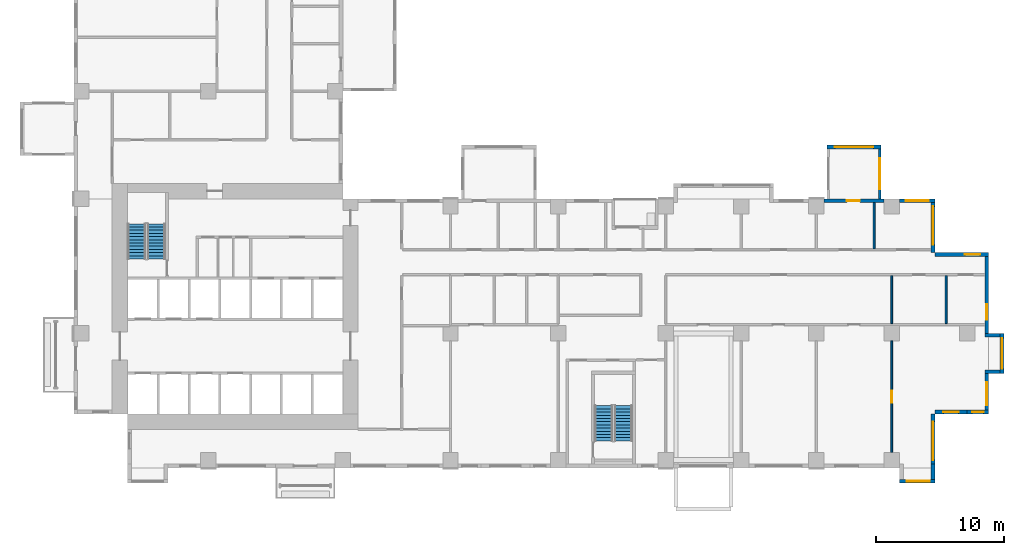
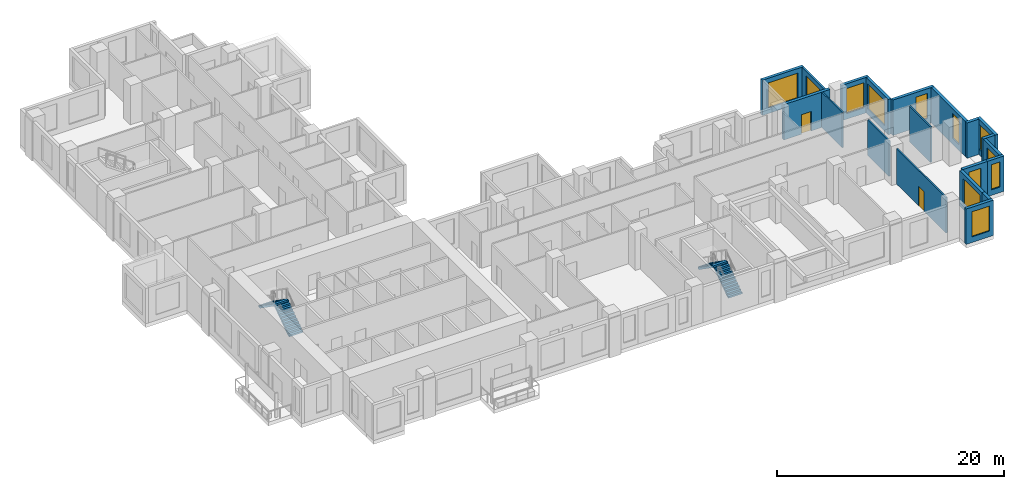
# One storey, part 9 of 14: 20 walls, 12 windows, 4 stair flights, 2 doors, 14 openings, 2 elements without a shape of their own.
"""IFC4 building model written with IfcOpenShell, lengths in metres."""

from ifc_helpers import new_model, si_unit, direction, frame, frame_2d, origin, place, context, subcontext, project, spatial, polyline, rectangle, outline, extrude, source, transform, mapped, material, layer, layer_set, type_object, element, fill, aggregate, save


model = new_model("IFC4")

# Units and contexts
model_context = context("Model", 3, precision=1e-05, world=origin(), true_north=direction((0.0, 1.0)))
body_context = subcontext(model_context, "Body", "Model", "MODEL_VIEW")
ifc_project = project(units=[si_unit("LENGTHUNIT", "METRE"), si_unit("AREAUNIT", "SQUARE_METRE"), si_unit("VOLUMEUNIT", "CUBIC_METRE"), si_unit("PLANEANGLEUNIT", "RADIAN"), si_unit("MASSUNIT", "GRAM", prefix="KILO")], contexts=[model_context])

# Site, building, storey
site_placement = place(None, origin())
site = spatial("IfcSite", under=ifc_project, at=site_placement, CompositionType="ELEMENT")
building_placement = place(site_placement, origin())
building = spatial("IfcBuilding", under=site, at=building_placement, Name="Aurelian Terraces", CompositionType="ELEMENT")
storey_placement = place(building_placement, frame((0.0, 0.0, 90.9)))
storey = spatial("IfcBuildingStorey", under=building, at=storey_placement, Name="L19", CompositionType="ELEMENT", Elevation=90.9)

# Wall, opening, door
ifc_material_1 = material(Name="Terracotta rainscreen cladding", Category="masonry")
ifc_layer_1 = layer(ifc_material_1, 0.3)
ifc_layer_set_1 = layer_set([ifc_layer_1], Name="EW-300")
wall_type_1 = type_object("IfcWallType", Name="EW-300", PredefinedType="STANDARD", material=ifc_layer_set_1)
shared_shape_1 = source(origin(), body_context, "Body", "SweptSolid", [
    extrude(rectangle(XDim=4.68, YDim=0.3, at=frame_2d((2.34, 0.0))), origin(), (0.0, 0.0, 1.0), 3.8),
])
wall_1_placement = place(storey_placement, frame((63.24, 20.85, 0.0), z_axis=(0.0, 0.0, 1.0), x_axis=(-1.0, 0.0, 0.0)))
wall_1 = element("IfcWall", 1, at=wall_1_placement, inside=storey, type_object=wall_type_1, Name="External wall L19 F07.20", PredefinedType="STANDARD", context=body_context, shape_type="MappedRepresentation", body=[
    mapped(shared_shape_1, transform((0.0, 0.0, 0.0), scale=1.0)),
])
shared_shape_2 = source(origin(), body_context, "Body", "SweptSolid", [
    extrude(rectangle(XDim=1.0, YDim=2.1, at=frame_2d((0.5, 1.05))), frame((0.0, 0.16, 0.0), z_axis=(0.0, -1.0, 0.0), x_axis=(1.0, 0.0, 0.0)), (0.0, 0.0, 1.0), 0.32),
])
opening_1_placement = place(wall_1_placement, frame((1.8983, 0.0, 0.0)))
opening_1 = element("IfcOpeningElement", 2, at=opening_1_placement, cuts=wall_1, Name="Opening 819004", PredefinedType="OPENING", context=body_context, shape_type="MappedRepresentation", body=[
    mapped(shared_shape_2, transform((0.0, 0.0, 0.0), scale=1.0)),
])
ifc_material_2 = material(Name="Timber door leaf", Category="wood")
door_type_1 = type_object("IfcDoorType", Name="Room door 1000x2100 left", OperationType="SINGLE_SWING_LEFT", PredefinedType="DOOR", material=ifc_material_2)
shared_shape_3 = source(origin(), body_context, "Body", "SweptSolid", [
    extrude(rectangle(XDim=1.0, YDim=2.1, at=frame_2d((0.5, 1.05))), frame((0.0, 0.025, 0.0), z_axis=(0.0, -1.0, 0.0), x_axis=(1.0, 0.0, 0.0)), (0.0, 0.0, 1.0), 0.05),
])
door_1_placement = place(opening_1_placement, origin())
door_1 = element("IfcDoor", 3, at=door_1_placement, inside=storey, type_object=door_type_1, Name="Door 819004", OperationType="SINGLE_SWING_LEFT", OverallHeight=2.1, OverallWidth=1.0, PredefinedType="DOOR", context=body_context, shape_type="MappedRepresentation", body=[
    mapped(shared_shape_3, transform((0.0, 0.0, 0.0), scale=1.0)),
])
fill(opening_1, door_1)

# Wall, opening, window
shared_shape_4 = source(origin(), body_context, "Body", "SweptSolid", [
    extrude(rectangle(XDim=3.15, YDim=0.3, at=frame_2d((1.575, 0.0))), origin(), (0.0, 0.0, 1.0), 3.8),
])
wall_2_placement = place(storey_placement, frame((71.25, 4.2, 0.0), z_axis=(0.0, 0.0, 1.0), x_axis=(0.0, 1.0, 0.0)))
wall_2 = element("IfcWall", 4, at=wall_2_placement, inside=storey, type_object=wall_type_1, Name="External wall L19 F04.15", PredefinedType="STANDARD", context=body_context, shape_type="MappedRepresentation", body=[
    mapped(shared_shape_4, transform((0.0, 0.0, 0.0), scale=1.0)),
])
shared_shape_5 = source(origin(), body_context, "Body", "SweptSolid", [
    extrude(rectangle(XDim=1.8, YDim=2.7, at=frame_2d((0.9, 1.35))), frame((0.0, 0.16, 0.0), z_axis=(0.0, -1.0, 0.0), x_axis=(1.0, 0.0, 0.0)), (0.0, 0.0, 1.0), 0.32),
])
opening_2_placement = place(wall_2_placement, frame((0.675, 0.0, 0.6)))
opening_2 = element("IfcOpeningElement", 5, at=opening_2_placement, cuts=wall_2, Name="Opening W1827", PredefinedType="OPENING", context=body_context, shape_type="MappedRepresentation", body=[
    mapped(shared_shape_5, transform((0.0, 0.0, 0.0), scale=1.0)),
])
ifc_material_3 = material(Name="Clear glazing", Category="glass")
window_type_1 = type_object("IfcWindowType", Name="W-1800x2700", PartitioningType="SINGLE_PANEL", PredefinedType="WINDOW", material=ifc_material_3)
shared_shape_6 = source(origin(), body_context, "Body", "SweptSolid", [
    extrude(rectangle(XDim=1.8, YDim=2.7, at=frame_2d((0.9, 1.35))), frame((0.0, 0.03, 0.0), z_axis=(0.0, -1.0, 0.0), x_axis=(1.0, 0.0, 0.0)), (0.0, 0.0, 1.0), 0.06),
])
window_1_placement = place(opening_2_placement, origin())
window_1 = element("IfcWindow", 6, at=window_1_placement, inside=storey, type_object=window_type_1, Name="Window L19 L19-F04-15-0", OverallHeight=2.7, OverallWidth=1.8, PartitioningType="SINGLE_PANEL", PredefinedType="WINDOW", context=body_context, shape_type="MappedRepresentation", body=[
    mapped(shared_shape_6, transform((0.0, 0.0, 0.0), scale=1.0)),
])
fill(opening_2, window_1)

wall_3_placement = place(storey_placement, frame((72.45, 7.35, 0.0), z_axis=(0.0, 0.0, 1.0), x_axis=(0.0, 1.0, 0.0)))
wall_3 = element("IfcWall", 7, at=wall_3_placement, inside=storey, type_object=wall_type_1, Name="Bay wall L19 F04.16", PredefinedType="STANDARD", context=body_context, shape_type="MappedRepresentation", body=[
    mapped(shared_shape_4, transform((0.0, 0.0, 0.0), scale=1.0)),
])
shared_shape_7 = source(origin(), body_context, "Body", "SweptSolid", [
    extrude(rectangle(XDim=2.4, YDim=2.7, at=frame_2d((1.2, 1.35))), frame((0.0, 0.16, 0.0), z_axis=(0.0, -1.0, 0.0), x_axis=(1.0, 0.0, 0.0)), (0.0, 0.0, 1.0), 0.32),
])
opening_3_placement = place(wall_3_placement, frame((0.375, 0.0, 0.6)))
opening_3 = element("IfcOpeningElement", 8, at=opening_3_placement, cuts=wall_3, Name="Opening W2427", PredefinedType="OPENING", context=body_context, shape_type="MappedRepresentation", body=[
    mapped(shared_shape_7, transform((0.0, 0.0, 0.0), scale=1.0)),
])
window_type_2 = type_object("IfcWindowType", Name="W-2400x2700", PartitioningType="SINGLE_PANEL", PredefinedType="WINDOW", material=ifc_material_3)
shared_shape_8 = source(origin(), body_context, "Body", "SweptSolid", [
    extrude(rectangle(XDim=2.4, YDim=2.7, at=frame_2d((1.2, 1.35))), frame((0.0, 0.03, 0.0), z_axis=(0.0, -1.0, 0.0), x_axis=(1.0, 0.0, 0.0)), (0.0, 0.0, 1.0), 0.06),
])
window_2_placement = place(opening_3_placement, origin())
window_2 = element("IfcWindow", 9, at=window_2_placement, inside=storey, type_object=window_type_2, Name="Window L19 L19-F04-16-0", OverallHeight=2.7, OverallWidth=2.4, PartitioningType="SINGLE_PANEL", PredefinedType="WINDOW", context=body_context, shape_type="MappedRepresentation", body=[
    mapped(shared_shape_8, transform((0.0, 0.0, 0.0), scale=1.0)),
])
fill(opening_3, window_2)

shared_shape_9 = source(origin(), body_context, "Body", "SweptSolid", [
    extrude(rectangle(XDim=4.2, YDim=0.3, at=frame_2d((2.1, 0.0))), origin(), (0.0, 0.0, 1.0), 3.8),
])
wall_4_placement = place(storey_placement, frame((67.05, 0.0, 0.0), z_axis=(0.0, 0.0, 1.0), x_axis=(0.0, 1.0, 0.0)))
wall_4 = element("IfcWall", 10, at=wall_4_placement, inside=storey, type_object=wall_type_1, Name="External wall L19 F02.12", PredefinedType="STANDARD", context=body_context, shape_type="MappedRepresentation", body=[
    mapped(shared_shape_9, transform((0.0, 0.0, 0.0), scale=1.0)),
])
shared_shape_10 = source(origin(), body_context, "Body", "SweptSolid", [
    extrude(rectangle(XDim=3.0, YDim=2.7, at=frame_2d((1.5, 1.35))), frame((0.0, 0.16, 0.0), z_axis=(0.0, -1.0, 0.0), x_axis=(1.0, 0.0, 0.0)), (0.0, 0.0, 1.0), 0.32),
])
opening_4_placement = place(wall_4_placement, frame((0.6, 0.0, 0.6)))
opening_4 = element("IfcOpeningElement", 11, at=opening_4_placement, cuts=wall_4, Name="Opening W3027", PredefinedType="OPENING", context=body_context, shape_type="MappedRepresentation", body=[
    mapped(shared_shape_10, transform((0.0, 0.0, 0.0), scale=1.0)),
])
window_type_3 = type_object("IfcWindowType", Name="W-3000x2700", PartitioningType="SINGLE_PANEL", PredefinedType="WINDOW", material=ifc_material_3)
shared_shape_11 = source(origin(), body_context, "Body", "SweptSolid", [
    extrude(rectangle(XDim=3.0, YDim=2.7, at=frame_2d((1.5, 1.35))), frame((0.0, 0.03, 0.0), z_axis=(0.0, -1.0, 0.0), x_axis=(1.0, 0.0, 0.0)), (0.0, 0.0, 1.0), 0.06),
])
window_3_placement = place(opening_4_placement, origin())
window_3 = element("IfcWindow", 12, at=window_3_placement, inside=storey, type_object=window_type_3, Name="Window L19 L19-F02-12-0", OverallHeight=2.7, OverallWidth=3.0, PartitioningType="SINGLE_PANEL", PredefinedType="WINDOW", context=body_context, shape_type="MappedRepresentation", body=[
    mapped(shared_shape_11, transform((0.0, 0.0, 0.0), scale=1.0)),
])
fill(opening_4, window_3)

wall_5_placement = place(storey_placement, frame((71.4, 16.65, 0.0), z_axis=(0.0, 0.0, 1.0), x_axis=(-1.0, 0.0, 0.0)))
wall_5 = element("IfcWall", 13, at=wall_5_placement, inside=storey, type_object=wall_type_1, Name="External wall L19 F05.18", PredefinedType="STANDARD", context=body_context, shape_type="MappedRepresentation", body=[
    mapped(shared_shape_9, transform((0.0, 0.0, 0.0), scale=1.0)),
])
shared_shape_12 = source(origin(), body_context, "Body", "SweptSolid", [
    extrude(rectangle(XDim=1.2, YDim=2.7, at=frame_2d((0.6, 1.35))), frame((0.0, 0.16, 0.0), z_axis=(0.0, -1.0, 0.0), x_axis=(1.0, 0.0, 0.0)), (0.0, 0.0, 1.0), 0.32),
])
opening_5_placement = place(wall_5_placement, frame((0.66, 0.0, 0.6)))
opening_5 = element("IfcOpeningElement", 14, at=opening_5_placement, cuts=wall_5, Name="Opening W1227", PredefinedType="OPENING", context=body_context, shape_type="MappedRepresentation", body=[
    mapped(shared_shape_12, transform((0.0, 0.0, 0.0), scale=1.0)),
])
window_type_4 = type_object("IfcWindowType", Name="W-1200x2700", PartitioningType="SINGLE_PANEL", PredefinedType="WINDOW", material=ifc_material_3)
shared_shape_13 = source(origin(), body_context, "Body", "SweptSolid", [
    extrude(rectangle(XDim=1.2, YDim=2.7, at=frame_2d((0.6, 1.35))), frame((0.0, 0.03, 0.0), z_axis=(0.0, -1.0, 0.0), x_axis=(1.0, 0.0, 0.0)), (0.0, 0.0, 1.0), 0.06),
])
window_4_placement = place(opening_5_placement, origin())
window_4 = element("IfcWindow", 15, at=window_4_placement, inside=storey, type_object=window_type_4, Name="Window L19 L19-F05-18-0", OverallHeight=2.7, OverallWidth=1.2, PartitioningType="SINGLE_PANEL", PredefinedType="WINDOW", context=body_context, shape_type="MappedRepresentation", body=[
    mapped(shared_shape_13, transform((0.0, 0.0, 0.0), scale=1.0)),
])
fill(opening_5, window_4)

wall_6_placement = place(storey_placement, frame((67.05, 16.8, 0.0), z_axis=(0.0, 0.0, 1.0), x_axis=(0.0, 1.0, 0.0)))
wall_6 = element("IfcWall", 16, at=wall_6_placement, inside=storey, type_object=wall_type_1, Name="External wall L19 F06.19", PredefinedType="STANDARD", context=body_context, shape_type="MappedRepresentation", body=[
    mapped(shared_shape_9, transform((0.0, 0.0, 0.0), scale=1.0)),
])
opening_6_placement = place(wall_6_placement, frame((0.6, 0.0, 0.6)))
opening_6 = element("IfcOpeningElement", 17, at=opening_6_placement, cuts=wall_6, Name="Opening W3027", PredefinedType="OPENING", context=body_context, shape_type="MappedRepresentation", body=[
    mapped(shared_shape_10, transform((0.0, 0.0, 0.0), scale=1.0)),
])
window_5_placement = place(opening_6_placement, origin())
window_5 = element("IfcWindow", 18, at=window_5_placement, inside=storey, type_object=window_type_3, Name="Window L19 L19-F06-19-0", OverallHeight=2.7, OverallWidth=3.0, PartitioningType="SINGLE_PANEL", PredefinedType="WINDOW", context=body_context, shape_type="MappedRepresentation", body=[
    mapped(shared_shape_11, transform((0.0, 0.0, 0.0), scale=1.0)),
])
fill(opening_6, window_5)

shared_shape_14 = source(origin(), body_context, "Body", "SweptSolid", [
    extrude(rectangle(XDim=2.76, YDim=0.3, at=frame_2d((1.38, 0.0))), origin(), (0.0, 0.0, 1.0), 3.8),
])
wall_7_placement = place(storey_placement, frame((64.44, -1.05, 0.0), z_axis=(0.0, 0.0, 1.0), x_axis=(1.0, 0.0, 0.0)))
wall_7 = element("IfcWall", 19, at=wall_7_placement, inside=storey, type_object=wall_type_1, Name="Bay wall L19 F01.11", PredefinedType="STANDARD", context=body_context, shape_type="MappedRepresentation", body=[
    mapped(shared_shape_14, transform((0.0, 0.0, 0.0), scale=1.0)),
])
opening_7_placement = place(wall_7_placement, frame((0.58, 0.0, 0.6)))
opening_7 = element("IfcOpeningElement", 20, at=opening_7_placement, cuts=wall_7, Name="Opening W1827", PredefinedType="OPENING", context=body_context, shape_type="MappedRepresentation", body=[
    mapped(shared_shape_5, transform((0.0, 0.0, 0.0), scale=1.0)),
])
window_6_placement = place(opening_7_placement, origin())
window_6 = element("IfcWindow", 21, at=window_6_placement, inside=storey, type_object=window_type_1, Name="Window L19 L19-F01-11-0", OverallHeight=2.7, OverallWidth=1.8, PartitioningType="SINGLE_PANEL", PredefinedType="WINDOW", context=body_context, shape_type="MappedRepresentation", body=[
    mapped(shared_shape_6, transform((0.0, 0.0, 0.0), scale=1.0)),
])
fill(opening_7, window_6)

wall_8_placement = place(storey_placement, frame((67.2, 20.85, 0.0), z_axis=(0.0, 0.0, 1.0), x_axis=(-1.0, 0.0, 0.0)))
wall_8 = element("IfcWall", 22, at=wall_8_placement, inside=storey, type_object=wall_type_1, Name="External wall L19 F07.20", PredefinedType="STANDARD", context=body_context, shape_type="MappedRepresentation", body=[
    mapped(shared_shape_14, transform((0.0, 0.0, 0.0), scale=1.0)),
])
opening_8_placement = place(wall_8_placement, frame((0.48, 0.0, 0.6)))
opening_8 = element("IfcOpeningElement", 23, at=opening_8_placement, cuts=wall_8, Name="Opening W1827", PredefinedType="OPENING", context=body_context, shape_type="MappedRepresentation", body=[
    mapped(shared_shape_5, transform((0.0, 0.0, 0.0), scale=1.0)),
])
window_7_placement = place(opening_8_placement, origin())
window_7 = element("IfcWindow", 24, at=window_7_placement, inside=storey, type_object=window_type_1, Name="Window L19 L19-F07-20-P0", OverallHeight=2.7, OverallWidth=1.8, PartitioningType="SINGLE_PANEL", PredefinedType="WINDOW", context=body_context, shape_type="MappedRepresentation", body=[
    mapped(shared_shape_6, transform((0.0, 0.0, 0.0), scale=1.0)),
])
fill(opening_8, window_7)

# Walls
shared_shape_15 = source(origin(), body_context, "Body", "SweptSolid", [
    extrude(rectangle(XDim=1.2, YDim=0.3, at=frame_2d((0.6, 0.0))), origin(), (0.0, 0.0, 1.0), 3.8),
])
for number, where, z_axis, x_axis, name in (
    (25, (67.05, 0.3, 0.0), (0.0, 0.0, 1.0), (0.0, -1.0, 0.0), "Bay return L19 F01.11.2"),
    (26, (71.1, 7.5, 0.0), (0.0, 0.0, 1.0), (1.0, 0.0, 0.0), "Bay return L19 F04.16.1"),
    (27, (71.1, 10.35, 0.0), (0.0, 0.0, 1.0), (1.0, 0.0, 0.0), "Bay return L19 F04.16.2"),
):
    element("IfcWall", number, at=place(storey_placement, frame(where, z_axis=z_axis, x_axis=x_axis)), inside=storey, type_object=wall_type_1, Name=name, PredefinedType="STANDARD", context=body_context, shape_type="MappedRepresentation", body=[
        mapped(shared_shape_15, transform((0.0, 0.0, 0.0), scale=1.0)),
    ])

# Wall, opening, window
shared_shape_16 = source(origin(), body_context, "Body", "SweptSolid", [
    extrude(rectangle(XDim=2.52, YDim=0.3, at=frame_2d((1.26, 0.0))), origin(), (0.0, 0.0, 1.0), 3.8),
])
wall_9_placement = place(storey_placement, frame((67.2, 4.35, 0.0), z_axis=(0.0, 0.0, 1.0), x_axis=(1.0, 0.0, 0.0)))
wall_9 = element("IfcWall", 28, at=wall_9_placement, inside=storey, type_object=wall_type_1, Name="External wall L19 F03.13", PredefinedType="STANDARD", context=body_context, shape_type="MappedRepresentation", body=[
    mapped(shared_shape_16, transform((0.0, 0.0, 0.0), scale=1.0)),
])
opening_9_placement = place(wall_9_placement, frame((0.66, 0.0, 0.6)))
opening_9 = element("IfcOpeningElement", 29, at=opening_9_placement, cuts=wall_9, Name="Opening W1227", PredefinedType="OPENING", context=body_context, shape_type="MappedRepresentation", body=[
    mapped(shared_shape_12, transform((0.0, 0.0, 0.0), scale=1.0)),
])
window_8_placement = place(opening_9_placement, origin())
window_8 = element("IfcWindow", 30, at=window_8_placement, inside=storey, type_object=window_type_4, Name="Window L19 L19-F03-13-0", OverallHeight=2.7, OverallWidth=1.2, PartitioningType="SINGLE_PANEL", PredefinedType="WINDOW", context=body_context, shape_type="MappedRepresentation", body=[
    mapped(shared_shape_13, transform((0.0, 0.0, 0.0), scale=1.0)),
])
fill(opening_9, window_8)

shared_shape_17 = source(origin(), body_context, "Body", "SweptSolid", [
    extrude(rectangle(XDim=1.68, YDim=0.3, at=frame_2d((0.84, 0.0))), origin(), (0.0, 0.0, 1.0), 3.8),
])
wall_10_placement = place(storey_placement, frame((69.72, 4.35, 0.0), z_axis=(0.0, 0.0, 1.0), x_axis=(1.0, 0.0, 0.0)))
wall_10 = element("IfcWall", 31, at=wall_10_placement, inside=storey, type_object=wall_type_1, Name="External wall L19 F03.14", PredefinedType="STANDARD", context=body_context, shape_type="MappedRepresentation", body=[
    mapped(shared_shape_17, transform((0.0, 0.0, 0.0), scale=1.0)),
])
shared_shape_18 = source(origin(), body_context, "Body", "SweptSolid", [
    extrude(rectangle(XDim=0.9, YDim=2.7, at=frame_2d((0.45, 1.35))), frame((0.0, 0.16, 0.0), z_axis=(0.0, -1.0, 0.0), x_axis=(1.0, 0.0, 0.0)), (0.0, 0.0, 1.0), 0.32),
])
opening_10_placement = place(wall_10_placement, frame((0.39, 0.0, 0.6)))
opening_10 = element("IfcOpeningElement", 32, at=opening_10_placement, cuts=wall_10, Name="Opening W0927", PredefinedType="OPENING", context=body_context, shape_type="MappedRepresentation", body=[
    mapped(shared_shape_18, transform((0.0, 0.0, 0.0), scale=1.0)),
])
window_type_5 = type_object("IfcWindowType", Name="W-900x2700", PartitioningType="SINGLE_PANEL", PredefinedType="WINDOW", material=ifc_material_3)
shared_shape_19 = source(origin(), body_context, "Body", "SweptSolid", [
    extrude(rectangle(XDim=0.9, YDim=2.7, at=frame_2d((0.45, 1.35))), frame((0.0, 0.03, 0.0), z_axis=(0.0, -1.0, 0.0), x_axis=(1.0, 0.0, 0.0)), (0.0, 0.0, 1.0), 0.06),
])
window_9_placement = place(opening_10_placement, origin())
window_9 = element("IfcWindow", 33, at=window_9_placement, inside=storey, type_object=window_type_5, Name="Window L19 L19-F03-14-P0", OverallHeight=2.7, OverallWidth=0.9, PartitioningType="SINGLE_PANEL", PredefinedType="WINDOW", context=body_context, shape_type="MappedRepresentation", body=[
    mapped(shared_shape_19, transform((0.0, 0.0, 0.0), scale=1.0)),
])
fill(opening_10, window_9)

shared_shape_20 = source(origin(), body_context, "Body", "SweptSolid", [
    extrude(rectangle(XDim=6.3, YDim=0.3, at=frame_2d((3.15, 0.0))), origin(), (0.0, 0.0, 1.0), 3.8),
])
wall_11_placement = place(storey_placement, frame((71.25, 10.5, 0.0), z_axis=(0.0, 0.0, 1.0), x_axis=(0.0, 1.0, 0.0)))
wall_11 = element("IfcWall", 34, at=wall_11_placement, inside=storey, type_object=wall_type_1, Name="External wall L19 F04.17", PredefinedType="STANDARD", context=body_context, shape_type="MappedRepresentation", body=[
    mapped(shared_shape_20, transform((0.0, 0.0, 0.0), scale=1.0)),
])
opening_11_placement = place(wall_11_placement, frame((1.0625, 0.0, 0.6)))
opening_11 = element("IfcOpeningElement", 35, at=opening_11_placement, cuts=wall_11, Name="Opening W1227", PredefinedType="OPENING", context=body_context, shape_type="MappedRepresentation", body=[
    mapped(shared_shape_12, transform((0.0, 0.0, 0.0), scale=1.0)),
])
window_10_placement = place(opening_11_placement, origin())
window_10 = element("IfcWindow", 36, at=window_10_placement, inside=storey, type_object=window_type_4, Name="Window L19 L19-F04-17-0", OverallHeight=2.7, OverallWidth=1.2, PartitioningType="SINGLE_PANEL", PredefinedType="WINDOW", context=body_context, shape_type="MappedRepresentation", body=[
    mapped(shared_shape_13, transform((0.0, 0.0, 0.0), scale=1.0)),
])
fill(opening_11, window_10)

ifc_material_4 = material(Name="Concrete fc' 40 MPa", Category="concrete")
ifc_layer_2 = layer(ifc_material_4, 0.2)
ifc_layer_set_2 = layer_set([ifc_layer_2], Name="BOX BEARING WALL 200")
wall_type_2 = type_object("IfcWallType", Name="BOX BEARING WALL 200", PredefinedType="SOLIDWALL", material=ifc_layer_set_2)
shared_shape_21 = source(origin(), body_context, "Body", "SweptSolid", [
    extrude(rectangle(XDim=3.9, YDim=0.2, at=frame_2d((1.95, 0.0))), origin(), (0.0, 0.0, 1.0), 3.79),
])
wall_12_placement = place(storey_placement, frame((62.9, 21.0, 0.0), z_axis=(0.0, 0.0, 1.0), x_axis=(0.0, 1.0, 0.0)))
wall_12 = element("IfcWall", 37, at=wall_12_placement, inside=storey, type_object=wall_type_2, Name="Box return L19 J26.1", PredefinedType="SOLIDWALL", context=body_context, shape_type="MappedRepresentation", body=[
    mapped(shared_shape_21, transform((0.0, 0.0, 0.0), scale=1.0)),
])
shared_shape_22 = source(origin(), body_context, "Body", "SweptSolid", [
    extrude(rectangle(XDim=2.4, YDim=2.7, at=frame_2d((1.2, 1.35))), frame((0.0, 0.11, 0.0), z_axis=(0.0, -1.0, 0.0), x_axis=(1.0, 0.0, 0.0)), (0.0, 0.0, 1.0), 0.22),
])
opening_12_placement = place(wall_12_placement, frame((0.75, 0.0, 0.6)))
opening_12 = element("IfcOpeningElement", 38, at=opening_12_placement, cuts=wall_12, Name="Opening W2427", PredefinedType="OPENING", context=body_context, shape_type="MappedRepresentation", body=[
    mapped(shared_shape_22, transform((0.0, 0.0, 0.0), scale=1.0)),
])
window_11_placement = place(opening_12_placement, origin())
window_11 = element("IfcWindow", 39, at=window_11_placement, inside=storey, type_object=window_type_2, Name="Window L19 J26-S1", OverallHeight=2.7, OverallWidth=2.4, PartitioningType="SINGLE_PANEL", PredefinedType="WINDOW", context=body_context, shape_type="MappedRepresentation", body=[
    mapped(shared_shape_8, transform((0.0, 0.0, 0.0), scale=1.0)),
])
fill(opening_12, window_11)

ifc_layer_3 = layer(ifc_material_4, 0.3)
ifc_layer_set_3 = layer_set([ifc_layer_3], Name="BOX BEARING WALL 300")
wall_type_3 = type_object("IfcWallType", Name="BOX BEARING WALL 300", PredefinedType="SOLIDWALL", material=ifc_layer_set_3)
shared_shape_23 = source(origin(), body_context, "Body", "SweptSolid", [
    extrude(rectangle(XDim=4.2, YDim=0.3, at=frame_2d((2.1, 0.0))), origin(), (0.0, 0.0, 1.0), 3.79),
])
wall_13_placement = place(storey_placement, frame((63.0, 25.05, 0.0), z_axis=(0.0, 0.0, 1.0), x_axis=(-1.0, 0.0, 0.0)))
wall_13 = element("IfcWall", 40, at=wall_13_placement, inside=storey, type_object=wall_type_3, Name="Box wall L19 J26", PredefinedType="SOLIDWALL", context=body_context, shape_type="MappedRepresentation", body=[
    mapped(shared_shape_23, transform((0.0, 0.0, 0.0), scale=1.0)),
])
opening_13_placement = place(wall_13_placement, frame((0.6, 0.0, 0.6)))
opening_13 = element("IfcOpeningElement", 41, at=opening_13_placement, cuts=wall_13, Name="Opening W3027", PredefinedType="OPENING", context=body_context, shape_type="MappedRepresentation", body=[
    mapped(shared_shape_10, transform((0.0, 0.0, 0.0), scale=1.0)),
])
window_12_placement = place(opening_13_placement, origin())
window_12 = element("IfcWindow", 42, at=window_12_placement, inside=storey, type_object=window_type_3, Name="Window L19 J26-F1", OverallHeight=2.7, OverallWidth=3.0, PartitioningType="SINGLE_PANEL", PredefinedType="WINDOW", context=body_context, shape_type="MappedRepresentation", body=[
    mapped(shared_shape_11, transform((0.0, 0.0, 0.0), scale=1.0)),
])
fill(opening_13, window_12)

# Walls
ifc_material_5 = material(Name="Gypsum board on steel studs", Category="steel")
ifc_layer_4 = layer(ifc_material_5, 0.15)
ifc_layer_set_4 = layer_set([ifc_layer_4], Name="Partition 150")
wall_type_4 = type_object("IfcWallType", Name="Partition 150", PredefinedType="PARTITIONING", material=ifc_layer_set_4)
shared_shape_24 = source(origin(), body_context, "Body", "SweptSolid", [
    extrude(rectangle(XDim=3.75, YDim=0.15, at=frame_2d((1.875, 0.0))), origin(), (0.0, 0.0, 1.0), 3.8),
])
for number, where, z_axis, x_axis, name in (
    (43, (68.0823, 11.25, 0.0), (0.0, 0.0, 1.0), (0.0, 1.0, 0.0), "Partition"),
    (44, (63.84, 11.25, 0.0), (0.0, 0.0, 1.0), (0.0, 1.0, 0.0), "Partition"),
):
    element("IfcWall", number, at=place(storey_placement, frame(where, z_axis=z_axis, x_axis=x_axis)), inside=storey, type_object=wall_type_4, Name=name, PredefinedType="PARTITIONING", context=body_context, shape_type="MappedRepresentation", body=[
        mapped(shared_shape_24, transform((0.0, 0.0, 0.0), scale=1.0)),
    ])

# Wall, opening, door
shared_shape_25 = source(origin(), body_context, "Body", "SweptSolid", [
    extrude(rectangle(XDim=8.702, YDim=0.15, at=frame_2d((4.351, 0.0))), origin(), (0.0, 0.0, 1.0), 3.8),
])
wall_14_placement = place(storey_placement, frame((63.84, 1.199, 0.0), z_axis=(0.0, 0.0, 1.0), x_axis=(0.0, 1.0, 0.0)))
wall_14 = element("IfcWall", 45, at=wall_14_placement, inside=storey, type_object=wall_type_4, Name="Partition", PredefinedType="PARTITIONING", context=body_context, shape_type="MappedRepresentation", body=[
    mapped(shared_shape_25, transform((0.0, 0.0, 0.0), scale=1.0)),
])
shared_shape_26 = source(origin(), body_context, "Body", "SweptSolid", [
    extrude(rectangle(XDim=0.9, YDim=2.1, at=frame_2d((0.45, 1.05))), frame((0.0, 0.085, 0.0), z_axis=(0.0, -1.0, 0.0), x_axis=(1.0, 0.0, 0.0)), (0.0, 0.0, 1.0), 0.17),
])
opening_14_placement = place(wall_14_placement, frame((3.901, 0.0, 0.0)))
opening_14 = element("IfcOpeningElement", 46, at=opening_14_placement, cuts=wall_14, Name="Opening 719048", PredefinedType="OPENING", context=body_context, shape_type="MappedRepresentation", body=[
    mapped(shared_shape_26, transform((0.0, 0.0, 0.0), scale=1.0)),
])
door_type_2 = type_object("IfcDoorType", Name="Room door 900x2100 left", OperationType="SINGLE_SWING_LEFT", PredefinedType="DOOR", material=ifc_material_2)
shared_shape_27 = source(origin(), body_context, "Body", "SweptSolid", [
    extrude(rectangle(XDim=0.9, YDim=2.1, at=frame_2d((0.45, 1.05))), frame((0.0, 0.025, 0.0), z_axis=(0.0, -1.0, 0.0), x_axis=(1.0, 0.0, 0.0)), (0.0, 0.0, 1.0), 0.05),
])
door_2_placement = place(opening_14_placement, origin())
door_2 = element("IfcDoor", 47, at=door_2_placement, inside=storey, type_object=door_type_2, Name="Door 719048", OperationType="SINGLE_SWING_LEFT", OverallHeight=2.1, OverallWidth=0.9, PredefinedType="DOOR", context=body_context, shape_type="MappedRepresentation", body=[
    mapped(shared_shape_27, transform((0.0, 0.0, 0.0), scale=1.0)),
])
fill(opening_14, door_2)

# Wall
shared_shape_28 = source(origin(), body_context, "Body", "SweptSolid", [
    extrude(rectangle(XDim=3.6, YDim=0.15, at=frame_2d((1.8, 0.0))), origin(), (0.0, 0.0, 1.0), 3.8),
])
wall_15_placement = place(storey_placement, frame((62.4675, 20.7, 0.0), z_axis=(0.0, 0.0, 1.0), x_axis=(0.0, -1.0, 0.0)))
element("IfcWall", 48, at=wall_15_placement, inside=storey, type_object=wall_type_4, Name="Partition", PredefinedType="PARTITIONING", context=body_context, shape_type="MappedRepresentation", body=[
    mapped(shared_shape_28, transform((0.0, 0.0, 0.0), scale=1.0)),
])

# Stair, stair flights
stair_type = type_object("IfcStairType", Name="Stair 1400", PredefinedType="HALF_TURN_STAIR", material=ifc_material_4)
stair_1_placement = place(storey_placement, origin())
stair_1 = element("IfcStair", 49, at=stair_1_placement, inside=storey, type_object=stair_type, Name="L19 S1", PredefinedType="HALF_TURN_STAIR")
stair_flight_type = type_object("IfcStairFlightType", Name="Stair flight 1400", PredefinedType="STRAIGHT", material=ifc_material_4)
shared_shape_29 = source(origin(), body_context, "Body", "SweptSolid", [
    extrude(outline(polyline([(0.0, 0.0), (0.0, 0.175), (0.25, 0.175), (0.25, 0.35), (0.5, 0.35), (0.5, 0.525), (0.75, 0.525), (0.75, 0.7), (1.0, 0.7), (1.0, 0.875), (1.25, 0.875), (1.25, 1.05), (1.5, 1.05), (1.5, 1.225), (1.75, 1.225), (1.75, 1.4), (2.0, 1.4), (2.0, 1.575), (2.25, 1.575), (2.25, 1.75), (2.5, 1.75), (2.5, 1.925), (2.75, 1.925), (2.75, 2.1), (2.75, 1.7419), (0.2616, 0.0), (0.0, 0.0)])), frame((0.0, 0.7, 0.0), z_axis=(0.0, -1.0, 0.0), x_axis=(1.0, 0.0, 0.0)), (0.0, 0.0, 1.0), 1.4),
])
stair_flight_1_placement = place(storey_placement, frame((6.45, 16.3, 2e-08), z_axis=(0.0, 0.0, 1.0), x_axis=(0.0, 1.0, 0.0)))
stair_flight_1 = element("IfcStairFlight", 50, at=stair_flight_1_placement, type_object=stair_flight_type, Name="S1 flight 1", NumberOfRisers=12, NumberOfTreads=11, PredefinedType="STRAIGHT", RiserHeight=0.175, TreadLength=0.25, context=body_context, shape_type="MappedRepresentation", body=[
    mapped(shared_shape_29, transform((0.0, 0.0, 0.0), scale=1.0)),
])
stair_flight_2_placement = place(storey_placement, frame((4.9, 19.05, 2.100000019999994), z_axis=(0.0, 0.0, 1.0), x_axis=(0.0, -1.0, 0.0)))
stair_flight_2 = element("IfcStairFlight", 51, at=stair_flight_2_placement, type_object=stair_flight_type, Name="S1 flight 2", NumberOfRisers=12, NumberOfTreads=11, PredefinedType="STRAIGHT", RiserHeight=0.175, TreadLength=0.25, context=body_context, shape_type="MappedRepresentation", body=[
    mapped(shared_shape_29, transform((0.0, 0.0, 0.0), scale=1.0)),
])
aggregate(stair_1, [stair_flight_1, stair_flight_2])

stair_2_placement = place(storey_placement, origin())
stair_2 = element("IfcStair", 52, at=stair_2_placement, inside=storey, type_object=stair_type, Name="L19 S2", PredefinedType="HALF_TURN_STAIR")
stair_flight_3_placement = place(storey_placement, frame((42.9, 2.1, 2e-08), z_axis=(0.0, 0.0, 1.0), x_axis=(0.0, 1.0, 0.0)))
stair_flight_3 = element("IfcStairFlight", 53, at=stair_flight_3_placement, type_object=stair_flight_type, Name="S2 flight 1", NumberOfRisers=12, NumberOfTreads=11, PredefinedType="STRAIGHT", RiserHeight=0.175, TreadLength=0.25, context=body_context, shape_type="MappedRepresentation", body=[
    mapped(shared_shape_29, transform((0.0, 0.0, 0.0), scale=1.0)),
])
stair_flight_4_placement = place(storey_placement, frame((41.35, 4.85, 2.100000019999994), z_axis=(0.0, 0.0, 1.0), x_axis=(0.0, -1.0, 0.0)))
stair_flight_4 = element("IfcStairFlight", 54, at=stair_flight_4_placement, type_object=stair_flight_type, Name="S2 flight 2", NumberOfRisers=12, NumberOfTreads=11, PredefinedType="STRAIGHT", RiserHeight=0.175, TreadLength=0.25, context=body_context, shape_type="MappedRepresentation", body=[
    mapped(shared_shape_29, transform((0.0, 0.0, 0.0), scale=1.0)),
])
aggregate(stair_2, [stair_flight_3, stair_flight_4])

save(model, "model.ifc")
